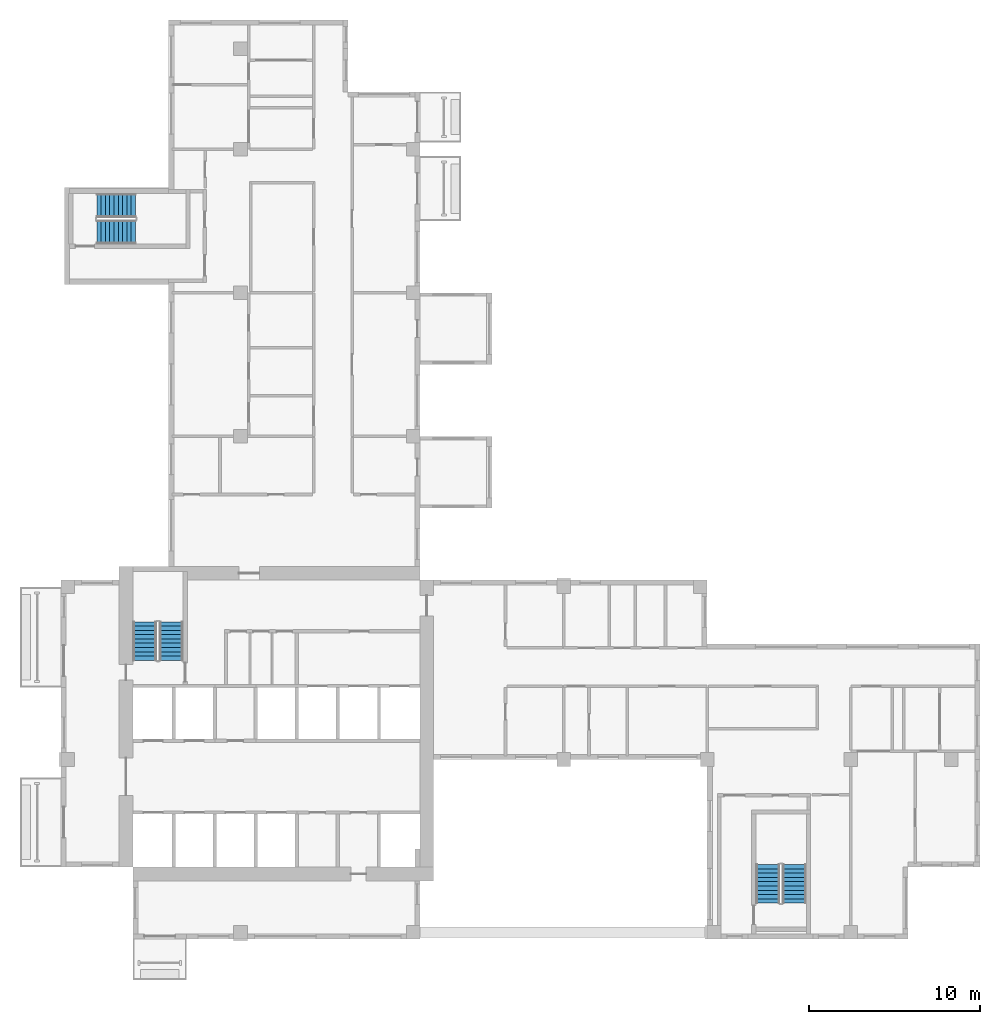
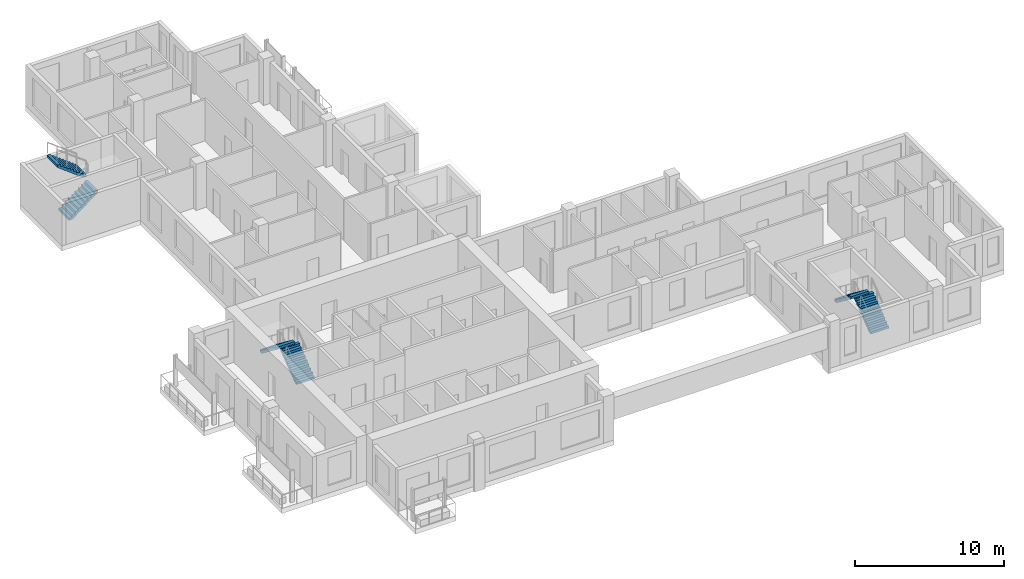
# One storey, part 8 of 11: 6 stair flights, 3 elements without a shape of their own.
"""IFC4 building model written with IfcOpenShell, lengths in metres."""

from ifc_helpers import new_model, si_unit, direction, frame, origin, place, context, subcontext, project, spatial, polyline, outline, extrude, source, transform, mapped, material, type_object, element, aggregate, save


model = new_model("IFC4")

# Units and contexts
model_context = context("Model", 3, precision=1e-05, world=origin(), true_north=direction((0.0, 1.0)))
body_context = subcontext(model_context, "Body", "Model", "MODEL_VIEW")
ifc_project = project(units=[si_unit("LENGTHUNIT", "METRE"), si_unit("AREAUNIT", "SQUARE_METRE"), si_unit("VOLUMEUNIT", "CUBIC_METRE"), si_unit("PLANEANGLEUNIT", "RADIAN"), si_unit("MASSUNIT", "GRAM", prefix="KILO")], contexts=[model_context])

# Site, building, storey
site_placement = place(None, origin())
site = spatial("IfcSite", under=ifc_project, at=site_placement, CompositionType="ELEMENT")
building_placement = place(site_placement, origin())
building = spatial("IfcBuilding", under=site, at=building_placement, Name="Aurelian Terraces", CompositionType="ELEMENT")
storey_placement = place(building_placement, frame((0.0, 0.0, 261.4)))
storey = spatial("IfcBuildingStorey", under=building, at=storey_placement, Name="L60", CompositionType="ELEMENT", Elevation=261.4)

# Stair, stair flights
ifc_material = material(Name="Concrete fc' 40 MPa", Category="concrete")
stair_type = type_object("IfcStairType", Name="Stair 1400", PredefinedType="HALF_TURN_STAIR", material=ifc_material)
stair_1_placement = place(storey_placement, origin())
stair_1 = element("IfcStair", 1, at=stair_1_placement, inside=storey, type_object=stair_type, Name="L60 S1", PredefinedType="HALF_TURN_STAIR")
stair_flight_type = type_object("IfcStairFlightType", Name="Stair flight 1400", PredefinedType="STRAIGHT", material=ifc_material)
shared_shape = source(origin(), body_context, "Body", "SweptSolid", [
    extrude(outline(polyline([(0.0, 0.0), (0.0, 0.19), (0.25, 0.19), (0.25, 0.38), (0.5, 0.38), (0.5, 0.57), (0.75, 0.57), (0.75, 0.76), (1.0, 0.76), (1.0, 0.95), (1.25, 0.95), (1.25, 1.14), (1.5, 1.14), (1.5, 1.33), (1.75, 1.33), (1.75, 1.52), (2.0, 1.52), (2.0, 1.71), (2.25, 1.71), (2.25, 1.9), (2.25, 1.5216), (0.2479, 0.0), (0.0, 0.0)])), frame((0.0, 0.7, 0.0), z_axis=(0.0, -1.0, 0.0), x_axis=(1.0, 0.0, 0.0)), (0.0, 0.0, 1.0), 1.4),
])
stair_flight_1_placement = place(storey_placement, frame((6.45, 16.3, 2e-08), z_axis=(0.0, 0.0, 1.0), x_axis=(0.0, 1.0, 0.0)))
stair_flight_1 = element("IfcStairFlight", 2, at=stair_flight_1_placement, type_object=stair_flight_type, Name="S1 flight 1", NumberOfRisers=10, NumberOfTreads=9, PredefinedType="STRAIGHT", RiserHeight=0.19, TreadLength=0.25, context=body_context, shape_type="MappedRepresentation", body=[
    mapped(shared_shape, transform((0.0, 0.0, 0.0), scale=1.0)),
])
stair_flight_2_placement = place(storey_placement, frame((4.9, 18.55, 1.9000000200000342), z_axis=(0.0, 0.0, 1.0), x_axis=(0.0, -1.0, 0.0)))
stair_flight_2 = element("IfcStairFlight", 3, at=stair_flight_2_placement, type_object=stair_flight_type, Name="S1 flight 2", NumberOfRisers=10, NumberOfTreads=9, PredefinedType="STRAIGHT", RiserHeight=0.19, TreadLength=0.25, context=body_context, shape_type="MappedRepresentation", body=[
    mapped(shared_shape, transform((0.0, 0.0, 0.0), scale=1.0)),
])
aggregate(stair_1, [stair_flight_1, stair_flight_2])

stair_2_placement = place(storey_placement, origin())
stair_2 = element("IfcStair", 4, at=stair_2_placement, inside=storey, type_object=stair_type, Name="L60 S2", PredefinedType="HALF_TURN_STAIR")
stair_flight_3_placement = place(storey_placement, frame((42.9, 2.1, 2e-08), z_axis=(0.0, 0.0, 1.0), x_axis=(0.0, 1.0, 0.0)))
stair_flight_3 = element("IfcStairFlight", 5, at=stair_flight_3_placement, type_object=stair_flight_type, Name="S2 flight 1", NumberOfRisers=10, NumberOfTreads=9, PredefinedType="STRAIGHT", RiserHeight=0.19, TreadLength=0.25, context=body_context, shape_type="MappedRepresentation", body=[
    mapped(shared_shape, transform((0.0, 0.0, 0.0), scale=1.0)),
])
stair_flight_4_placement = place(storey_placement, frame((41.35, 4.35, 1.9000000200000342), z_axis=(0.0, 0.0, 1.0), x_axis=(0.0, -1.0, 0.0)))
stair_flight_4 = element("IfcStairFlight", 6, at=stair_flight_4_placement, type_object=stair_flight_type, Name="S2 flight 2", NumberOfRisers=10, NumberOfTreads=9, PredefinedType="STRAIGHT", RiserHeight=0.19, TreadLength=0.25, context=body_context, shape_type="MappedRepresentation", body=[
    mapped(shared_shape, transform((0.0, 0.0, 0.0), scale=1.0)),
])
aggregate(stair_2, [stair_flight_3, stair_flight_4])

stair_3_placement = place(storey_placement, origin())
stair_3 = element("IfcStair", 7, at=stair_3_placement, inside=storey, type_object=stair_type, Name="L60 S3", PredefinedType="HALF_TURN_STAIR")
stair_flight_5_placement = place(storey_placement, frame((2.1, 41.35, 2e-08), z_axis=(0.0, 0.0, 1.0), x_axis=(1.0, 0.0, 0.0)))
stair_flight_5 = element("IfcStairFlight", 8, at=stair_flight_5_placement, type_object=stair_flight_type, Name="S3 flight 1", NumberOfRisers=10, NumberOfTreads=9, PredefinedType="STRAIGHT", RiserHeight=0.19, TreadLength=0.25, context=body_context, shape_type="MappedRepresentation", body=[
    mapped(shared_shape, transform((0.0, 0.0, 0.0), scale=1.0)),
])
stair_flight_6_placement = place(storey_placement, frame((4.35, 42.9, 1.9000000200000342), z_axis=(0.0, 0.0, 1.0), x_axis=(-1.0, 0.0, 0.0)))
stair_flight_6 = element("IfcStairFlight", 9, at=stair_flight_6_placement, type_object=stair_flight_type, Name="S3 flight 2", NumberOfRisers=10, NumberOfTreads=9, PredefinedType="STRAIGHT", RiserHeight=0.19, TreadLength=0.25, context=body_context, shape_type="MappedRepresentation", body=[
    mapped(shared_shape, transform((0.0, 0.0, 0.0), scale=1.0)),
])
aggregate(stair_3, [stair_flight_5, stair_flight_6])

save(model, "model.ifc")
